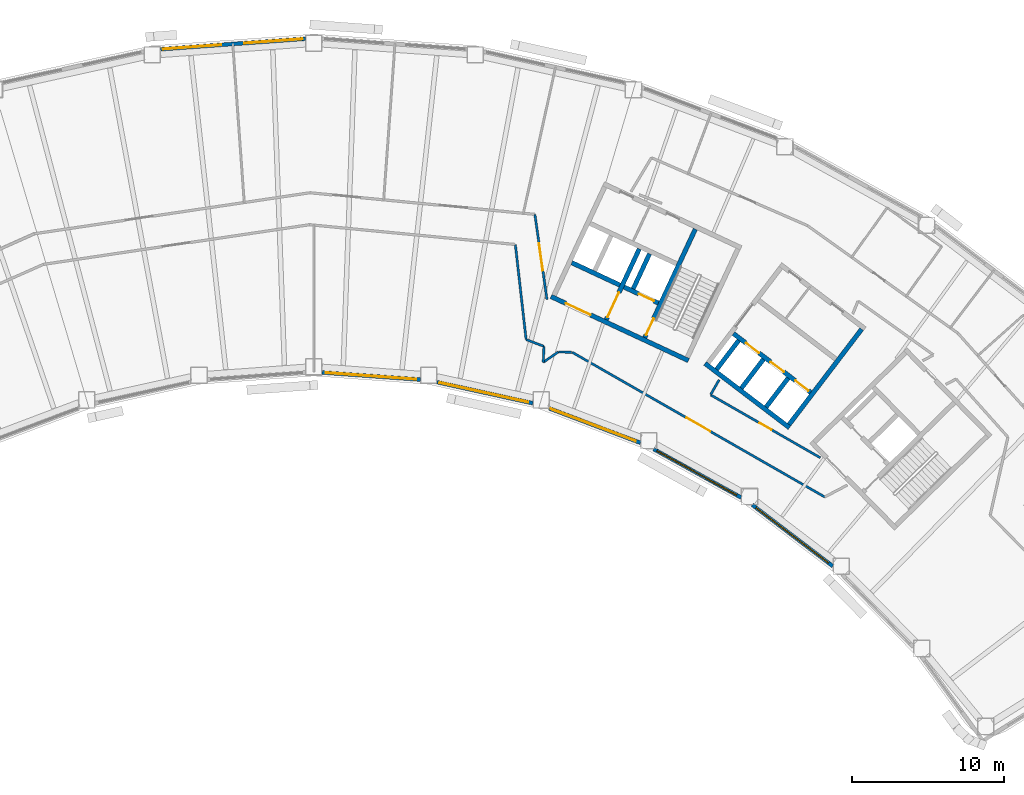
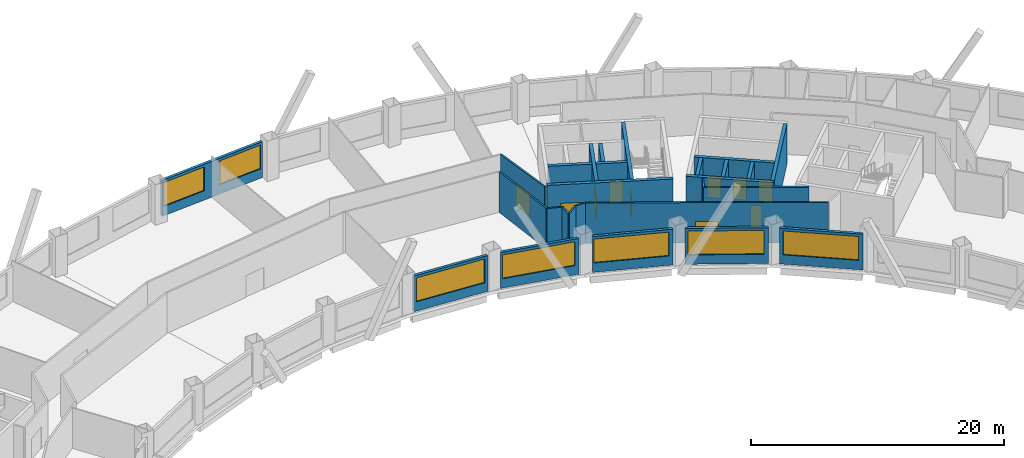
# One storey, part 5 of 11: 27 walls, 10 doors, 7 windows, 17 openings.
"""IFC4 building model written with IfcOpenShell, lengths in metres."""

from ifc_helpers import new_model, si_unit, direction, frame, frame_2d, origin, place, context, subcontext, project, spatial, rectangle, extrude, material, layer, layer_set, type_object, element, fill, save


model = new_model("IFC4")

# Units and contexts
model_context = context("Model", 3, precision=1e-05, world=origin(), true_north=direction((0.0, 1.0)))
body_context = subcontext(model_context, "Body", "Model", "MODEL_VIEW")
ifc_project = project(units=[si_unit("LENGTHUNIT", "METRE"), si_unit("AREAUNIT", "SQUARE_METRE"), si_unit("VOLUMEUNIT", "CUBIC_METRE"), si_unit("PLANEANGLEUNIT", "RADIAN"), si_unit("MASSUNIT", "GRAM", prefix="KILO")], contexts=[model_context])

# Site, building, storey
site_placement = place(None, origin())
site = spatial("IfcSite", under=ifc_project, at=site_placement, CompositionType="ELEMENT")
building_placement = place(site_placement, origin())
building = spatial("IfcBuilding", under=site, at=building_placement, Name="Tuul Gate Civic Tower", CompositionType="ELEMENT")
storey_placement = place(building_placement, frame((0.0, 0.0, 107.699951171875)))
storey = spatial("IfcBuildingStorey", under=building, at=storey_placement, Name="Level 24", CompositionType="ELEMENT", Elevation=107.699951171875)

# Wall, opening, door
ifc_material_1 = material(Name="Concrete C50/60", Category="concrete")
ifc_layer_1 = layer(ifc_material_1, 0.300048828125)
ifc_layer_set_1 = layer_set([ifc_layer_1], Name="Concrete C50/60")
wall_type_1 = type_object("IfcWallType", Name="Core wall C50/60", PredefinedType="SHEAR", material=ifc_layer_set_1)
wall_1_placement = place(storey_placement, frame((34.5283203125, -7.25, 0.0), z_axis=(0.0, 0.0, 1.0), x_axis=(-0.906310338845, 0.422612789327, 0.0)))
wall_1 = element("IfcWall", 1, at=wall_1_placement, inside=storey, type_object=wall_type_1, Name="Core wall", PredefinedType="SHEAR", context=body_context, shape_type="SweptSolid", body=[
    extrude(rectangle(XDim=9.999755859375, YDim=0.300048828125, at=frame_2d((5.0, 0.0))), origin(), (0.0, 0.0, 1.0), 3.900146484375),
])
opening_1_placement = place(wall_1_placement, frame((7.125, 0.0, 0.0)))
opening_1 = element("IfcOpeningElement", 2, at=opening_1_placement, cuts=wall_1, Name="Opening LB-E3-LOBBY-1", PredefinedType="OPENING", context=body_context, shape_type="SweptSolid", body=[
    extrude(rectangle(XDim=1.800048828125, YDim=2.10009765625, at=frame_2d((0.89990234375, 1.050048828125))), frame((0.0, 0.16015625, 0.0), z_axis=(0.0, -1.0, 0.0), x_axis=(1.0, 0.0, 0.0)), (0.0, 0.0, 1.0), 0.320068359375),
])
ifc_material_2 = material(Name="Steel", Category="steel")
door_type_1 = type_object("IfcDoorType", Name="Lobby door", OperationType="DOUBLE_DOOR_SINGLE_SWING", PredefinedType="DOOR", material=ifc_material_2)
door_1_placement = place(opening_1_placement, frame((1.800048828125, 0.0, 0.0), z_axis=(0.0, 0.0, 1.0), x_axis=(-1.0, 0.0, 0.0)))
door_1 = element("IfcDoor", 3, at=door_1_placement, inside=storey, type_object=door_type_1, Name="Lobby door E3-LOBBY", OperationType="DOUBLE_DOOR_SINGLE_SWING", OverallHeight=2.10009765625, OverallWidth=1.800048828125, PredefinedType="DOOR", context=body_context, shape_type="SweptSolid", body=[
    extrude(rectangle(XDim=1.800048828125, YDim=2.10009765625, at=frame_2d((0.900146484375, 1.050048828125))), frame((0.0, 0.02490234375, 0.0), z_axis=(0.0, -1.0, 0.0), x_axis=(1.0, 0.0, 0.0)), (0.0, 0.0, 1.0), 0.050048828125),
])
fill(opening_1, door_1)

wall_2_placement = place(storey_placement, frame((32.545654296875, -3.456787109375, 0.0), z_axis=(0.0, 0.0, 1.0), x_axis=(-0.906300357825, 0.42263419337, 0.0)))
wall_2 = element("IfcWall", 4, at=wall_2_placement, inside=storey, type_object=wall_type_1, Name="Core wall", PredefinedType="SHEAR", context=body_context, shape_type="SweptSolid", body=[
    extrude(rectangle(XDim=2.500244140625, YDim=0.300048828125, at=frame_2d((1.25, 0.0))), origin(), (0.0, 0.0, 1.0), 3.900146484375),
])
opening_2_placement = place(wall_2_placement, frame((0.324951171875, 0.0, 0.0)))
opening_2 = element("IfcOpeningElement", 5, at=opening_2_placement, cuts=wall_2, Name="Opening LD-FF-2", PredefinedType="OPENING", context=body_context, shape_type="SweptSolid", body=[
    extrude(rectangle(XDim=1.10009765625, YDim=2.10009765625, at=frame_2d((0.550048828125, 1.050048828125))), frame((0.0, 0.16015625, 0.0), z_axis=(0.0, -1.0, 0.0), x_axis=(1.0, 0.0, 0.0)), (0.0, 0.0, 1.0), 0.320068359375),
])
ifc_material_3 = material(Name="Stainless steel", Category="steel")
door_type_2 = type_object("IfcDoorType", Name="Landing door", OperationType="DOUBLE_DOOR_SLIDING", PredefinedType="DOOR", material=ifc_material_3)
door_2_placement = place(opening_2_placement, origin())
door_2 = element("IfcDoor", 6, at=door_2_placement, inside=storey, type_object=door_type_2, Name="Fire-fighting lift FF-2 landing door", OperationType="DOUBLE_DOOR_SLIDING", OverallHeight=2.10009765625, OverallWidth=1.10009765625, PredefinedType="DOOR", context=body_context, shape_type="SweptSolid", body=[
    extrude(rectangle(XDim=1.10009765625, YDim=2.10009765625, at=frame_2d((0.550048828125, 1.050048828125))), frame((0.0, 0.02490234375, 0.0), z_axis=(0.0, -1.0, 0.0), x_axis=(1.0, 0.0, 0.0)), (0.0, 0.0, 1.0), 0.050048828125),
])
fill(opening_2, door_2)

# Wall
wall_3_placement = place(storey_placement, frame((30.0078125, -2.2734375, 0.0), z_axis=(0.0, 0.0, 1.0), x_axis=(-0.90630071767, 0.422633421716, 0.0)))
element("IfcWall", 7, at=wall_3_placement, inside=storey, type_object=wall_type_1, Name="Core wall", PredefinedType="SHEAR", context=body_context, shape_type="SweptSolid", body=[
    extrude(rectangle(XDim=3.5, YDim=0.300048828125, at=frame_2d((1.75, 0.0))), origin(), (0.0, 0.0, 1.0), 3.900146484375),
])

# Wall, opening, door
wall_4_placement = place(storey_placement, frame((31.646240234375, -5.740478515625, 0.0), z_axis=(0.0, 0.0, 1.0), x_axis=(0.422582604137, 0.906324413596, 0.0)))
wall_4 = element("IfcWall", 8, at=wall_4_placement, inside=storey, type_object=wall_type_1, Name="Core wall", PredefinedType="SHEAR", context=body_context, shape_type="SweptSolid", body=[
    extrude(rectangle(XDim=7.89990234375, YDim=0.300048828125, at=frame_2d((3.949951171875, 0.0))), origin(), (0.0, 0.0, 1.0), 3.900146484375),
])
opening_3_placement = place(wall_4_placement, frame((0.199951171875, 0.0, 0.0)))
opening_3 = element("IfcOpeningElement", 9, at=opening_3_placement, cuts=wall_4, Name="Opening SD-ST-4", PredefinedType="OPENING", context=body_context, shape_type="SweptSolid", body=[
    extrude(rectangle(XDim=1.199951171875, YDim=2.10009765625, at=frame_2d((0.60009765625, 1.050048828125))), frame((0.0, 0.16015625, 0.0), z_axis=(0.0, -1.0, 0.0), x_axis=(1.0, 0.0, 0.0)), (0.0, 0.0, 1.0), 0.320068359375),
])
ifc_material_4 = material(Name="Steel", Category="steel")
door_type_3 = type_object("IfcDoorType", Name="Stair door", OperationType="NOTDEFINED", PredefinedType="DOOR", material=ifc_material_4)
door_3_placement = place(opening_3_placement, origin())
door_3 = element("IfcDoor", 10, at=door_3_placement, inside=storey, type_object=door_type_3, Name="Stair door ST-4", OperationType="SINGLE_SWING_LEFT", OverallHeight=2.10009765625, OverallWidth=1.199951171875, PredefinedType="DOOR", context=body_context, shape_type="SweptSolid", body=[
    extrude(rectangle(XDim=1.199951171875, YDim=2.10009765625, at=frame_2d((0.60009765625, 1.050048828125))), frame((0.0, 0.02490234375, 0.0), z_axis=(0.0, -1.0, 0.0), x_axis=(1.0, 0.0, 0.0)), (0.0, 0.0, 1.0), 0.050048828125),
])
fill(opening_3, door_3)

# Wall
wall_5_placement = place(storey_placement, frame((30.886962890625, -2.517822265625, 0.0), z_axis=(0.0, 0.0, 1.0), x_axis=(0.422612891016, 0.906310291427, 0.0)))
element("IfcWall", 11, at=wall_5_placement, inside=storey, type_object=wall_type_1, Name="Core wall", PredefinedType="SHEAR", context=body_context, shape_type="SweptSolid", body=[
    extrude(rectangle(XDim=2.550048828125, YDim=0.300048828125, at=frame_2d((1.27490234375, 0.0))), origin(), (0.0, 0.0, 1.0), 3.900146484375),
])

# Wall, opening, door
wall_6_placement = place(storey_placement, frame((29.108642578125, -4.557373046875, 0.0), z_axis=(0.0, 0.0, 1.0), x_axis=(0.422566235356, 0.90633204552, 0.0)))
wall_6 = element("IfcWall", 12, at=wall_6_placement, inside=storey, type_object=wall_type_1, Name="Core wall", PredefinedType="SHEAR", context=body_context, shape_type="SweptSolid", body=[
    extrude(rectangle(XDim=5.150146484375, YDim=0.300048828125, at=frame_2d((2.5751953125, 0.0))), origin(), (0.0, 0.0, 1.0), 3.900146484375),
])
opening_4_placement = place(wall_6_placement, frame((0.175048828125, 0.0, 0.0)))
opening_4 = element("IfcOpeningElement", 13, at=opening_4_placement, cuts=wall_6, Name="Opening LB-E3-FLOBBY-1", PredefinedType="OPENING", context=body_context, shape_type="SweptSolid", body=[
    extrude(rectangle(XDim=1.800048828125, YDim=2.10009765625, at=frame_2d((0.89990234375, 1.050048828125))), frame((0.0, 0.16015625, 0.0), z_axis=(0.0, -1.0, 0.0), x_axis=(1.0, 0.0, 0.0)), (0.0, 0.0, 1.0), 0.320068359375),
])
door_4_placement = place(opening_4_placement, frame((1.800048828125, 0.0, 0.0), z_axis=(0.0, 0.0, 1.0), x_axis=(-1.0, 0.0, 0.0)))
door_4 = element("IfcDoor", 14, at=door_4_placement, inside=storey, type_object=door_type_1, Name="Lobby door E3-FLOBBY", OperationType="DOUBLE_DOOR_SINGLE_SWING", OverallHeight=2.10009765625, OverallWidth=1.800048828125, PredefinedType="DOOR", context=body_context, shape_type="SweptSolid", body=[
    extrude(rectangle(XDim=1.800048828125, YDim=2.10009765625, at=frame_2d((0.900146484375, 1.050048828125))), frame((0.0, 0.02490234375, 0.0), z_axis=(0.0, -1.0, 0.0), x_axis=(1.0, 0.0, 0.0)), (0.0, 0.0, 1.0), 0.050048828125),
])
fill(opening_4, door_4)

ifc_material_5 = material(Name="Gypsum board partition")
ifc_layer_2 = layer(ifc_material_5, 0.14990234375)
ifc_layer_set_2 = layer_set([ifc_layer_2], Name="Gypsum board partition")
wall_type_2 = type_object("IfcWallType", Name="Corridor wall P150", PredefinedType="PARTITIONING", material=ifc_layer_set_2)
wall_7_placement = place(storey_placement, frame((24.403564453125, 2.389404296875, 0.0), z_axis=(0.0, 0.0, 1.0), x_axis=(0.140745812343, -0.990045764754, 0.0)))
wall_7 = element("IfcWall", 15, at=wall_7_placement, inside=storey, type_object=wall_type_2, Name="p018", PredefinedType="PARTITIONING", context=body_context, shape_type="SweptSolid", body=[
    extrude(rectangle(XDim=5.6669921875, YDim=0.14990234375, at=frame_2d((2.83349609375, 0.0))), origin(), (0.0, 0.0, 1.0), 3.900146484375),
])
opening_5_placement = place(wall_7_placement, frame((1.93359375, 0.0, 0.0)))
opening_5 = element("IfcOpeningElement", 16, at=opening_5_placement, cuts=wall_7, Name="Opening H-D04", PredefinedType="OPENING", context=body_context, shape_type="SweptSolid", body=[
    extrude(rectangle(XDim=1.800048828125, YDim=2.10009765625, at=frame_2d((0.89990234375, 1.050048828125))), frame((0.0, 0.0849609375, 0.0), z_axis=(0.0, -1.0, 0.0), x_axis=(1.0, 0.0, 0.0)), (0.0, 0.0, 1.0), 0.169921875),
])
ifc_material_6 = material(Name="Timber door leaf, double", Category="wood")
door_type_4 = type_object("IfcDoorType", Name="Door D18", OperationType="DOUBLE_DOOR_SINGLE_SWING", PredefinedType="DOOR", material=ifc_material_6)
door_5_placement = place(opening_5_placement, origin())
door_5 = element("IfcDoor", 17, at=door_5_placement, inside=storey, type_object=door_type_4, Name="Door H-D04", OperationType="DOUBLE_DOOR_SINGLE_SWING", OverallHeight=2.10009765625, OverallWidth=1.800048828125, PredefinedType="DOOR", context=body_context, shape_type="SweptSolid", body=[
    extrude(rectangle(XDim=1.800048828125, YDim=2.10009765625, at=frame_2d((0.89990234375, 1.050048828125))), frame((0.0, 0.02490234375, 0.0), z_axis=(0.0, -1.0, 0.0), x_axis=(1.0, 0.0, 0.0)), (0.0, 0.0, 1.0), 0.050048828125),
])
fill(opening_5, door_5)

# Walls
wall_8_placement = place(storey_placement, frame((23.116943359375, 0.3876953125, 0.0), z_axis=(0.0, 0.0, 1.0), x_axis=(0.112509252059, -0.99365067715, 0.0)))
element("IfcWall", 18, at=wall_8_placement, inside=storey, type_object=wall_type_2, Name="p056", PredefinedType="PARTITIONING", context=body_context, shape_type="SweptSolid", body=[
    extrude(rectangle(XDim=6.29296875, YDim=0.14990234375, at=frame_2d((3.146484375, 0.0))), origin(), (0.0, 0.0, 1.0), 3.900146484375),
])
wall_9_placement = place(storey_placement, frame((23.824951171875, -5.865234375, 0.0), z_axis=(0.0, 0.0, 1.0), x_axis=(0.934726356021, -0.355368315077, 0.0)))
element("IfcWall", 19, at=wall_9_placement, inside=storey, type_object=wall_type_2, Name="p057", PredefinedType="PARTITIONING", context=body_context, shape_type="SweptSolid", body=[
    extrude(rectangle(XDim=1.246826171875, YDim=0.14990234375, at=frame_2d((0.62353515625, 0.0))), origin(), (0.0, 0.0, 1.0), 3.900146484375),
])
wall_10_placement = place(storey_placement, frame((25.965087890625, -6.678955078125, 0.0), z_axis=(0.0, 0.0, 1.0), x_axis=(0.999492350912, -0.031859699761, 0.0)))
element("IfcWall", 20, at=wall_10_placement, inside=storey, type_object=wall_type_2, Name="p058", PredefinedType="PARTITIONING", context=body_context, shape_type="SweptSolid", body=[
    extrude(rectangle(XDim=0.865966796875, YDim=0.14990234375, at=frame_2d((0.43310546875, 0.0))), origin(), (0.0, 0.0, 1.0), 3.900146484375),
])
wall_11_placement = place(storey_placement, frame((25.001953125, -6.335693359375, 0.0), z_axis=(0.0, 0.0, 1.0), x_axis=(-0.044621701994, -0.999003955804, 0.0)))
element("IfcWall", 21, at=wall_11_placement, inside=storey, type_object=wall_type_2, Name="p060", PredefinedType="PARTITIONING", context=body_context, shape_type="SweptSolid", body=[
    extrude(rectangle(XDim=1.028564453125, YDim=0.14990234375, at=frame_2d((0.51416015625, 0.0))), origin(), (0.0, 0.0, 1.0), 3.900146484375),
])
wall_12_placement = place(storey_placement, frame((24.9560546875, -7.36328125, 0.0), z_axis=(0.0, 0.0, 1.0), x_axis=(0.823681821094, 0.56705225297, 0.0)))
element("IfcWall", 22, at=wall_12_placement, inside=storey, type_object=wall_type_2, Name="p061", PredefinedType="PARTITIONING", context=body_context, shape_type="SweptSolid", body=[
    extrude(rectangle(XDim=1.207275390625, YDim=0.14990234375, at=frame_2d((0.603515625, 0.0))), origin(), (0.0, 0.0, 1.0), 3.900146484375),
])

# Wall, opening, door
wall_13_placement = place(storey_placement, frame((26.8544921875, -6.69921875, 0.0), z_axis=(0.0, 0.0, 1.0), x_axis=(0.867717634908, -0.497057447454, 0.0)))
wall_13 = element("IfcWall", 23, at=wall_13_placement, inside=storey, type_object=wall_type_2, Name="p063", PredefinedType="PARTITIONING", context=body_context, shape_type="SweptSolid", body=[
    extrude(rectangle(XDim=19.201416015625, YDim=0.14990234375, at=frame_2d((9.6005859375, 0.0))), origin(), (0.0, 0.0, 1.0), 3.900146484375),
])
opening_6_placement = place(wall_13_placement, frame((8.70068359375, 0.0, 0.0)))
opening_6 = element("IfcOpeningElement", 24, at=opening_6_placement, cuts=wall_13, Name="Opening H-D11", PredefinedType="OPENING", context=body_context, shape_type="SweptSolid", body=[
    extrude(rectangle(XDim=1.800048828125, YDim=2.10009765625, at=frame_2d((0.89990234375, 1.050048828125))), frame((0.0, 0.0849609375, 0.0), z_axis=(0.0, -1.0, 0.0), x_axis=(1.0, 0.0, 0.0)), (0.0, 0.0, 1.0), 0.169921875),
])
door_6_placement = place(opening_6_placement, frame((1.800048828125, 0.0, 0.0), z_axis=(0.0, 0.0, 1.0), x_axis=(-1.0, 0.0, 0.0)))
door_6 = element("IfcDoor", 25, at=door_6_placement, inside=storey, type_object=door_type_4, Name="Door H-D11", OperationType="DOUBLE_DOOR_SINGLE_SWING", OverallHeight=2.10009765625, OverallWidth=1.800048828125, PredefinedType="DOOR", context=body_context, shape_type="SweptSolid", body=[
    extrude(rectangle(XDim=1.800048828125, YDim=2.10009765625, at=frame_2d((0.900146484375, 1.050048828125))), frame((0.0, 0.02490234375, 0.0), z_axis=(0.0, -1.0, 0.0), x_axis=(1.0, 0.0, 0.0)), (0.0, 0.0, 1.0), 0.050048828125),
])
fill(opening_6, door_6)

wall_14_placement = place(storey_placement, frame((36.00341796875, -9.51953125, 0.0), z_axis=(0.0, 0.0, 1.0), x_axis=(0.867697587438, -0.497092442866, 0.0)))
wall_14 = element("IfcWall", 26, at=wall_14_placement, inside=storey, type_object=wall_type_2, Name="p074", PredefinedType="PARTITIONING", context=body_context, shape_type="SweptSolid", body=[
    extrude(rectangle(XDim=8.32470703125, YDim=0.14990234375, at=frame_2d((4.162353515625, 0.0))), origin(), (0.0, 0.0, 1.0), 3.900146484375),
])
opening_7_placement = place(wall_14_placement, frame((3.71240234375, 0.0, 0.0)))
opening_7 = element("IfcOpeningElement", 27, at=opening_7_placement, cuts=wall_14, Name="Opening H-D14", PredefinedType="OPENING", context=body_context, shape_type="SweptSolid", body=[
    extrude(rectangle(XDim=0.89990234375, YDim=2.10009765625, at=frame_2d((0.449951171875, 1.050048828125))), frame((0.0, 0.0849609375, 0.0), z_axis=(0.0, -1.0, 0.0), x_axis=(1.0, 0.0, 0.0)), (0.0, 0.0, 1.0), 0.169921875),
])
ifc_material_7 = material(Name="Timber door leaf", Category="wood")
door_type_5 = type_object("IfcDoorType", Name="Door D09", OperationType="NOTDEFINED", PredefinedType="DOOR", material=ifc_material_7)
door_7_placement = place(opening_7_placement, frame((0.89990234375, 0.0, 0.0), z_axis=(0.0, 0.0, 1.0), x_axis=(-1.0, 0.0, 0.0)))
door_7 = element("IfcDoor", 28, at=door_7_placement, inside=storey, type_object=door_type_5, Name="Door H-D14", OperationType="SINGLE_SWING_LEFT", OverallHeight=2.10009765625, OverallWidth=0.89990234375, PredefinedType="DOOR", context=body_context, shape_type="SweptSolid", body=[
    extrude(rectangle(XDim=0.89990234375, YDim=2.10009765625, at=frame_2d((0.449951171875, 1.050048828125))), frame((0.0, 0.02490234375, 0.0), z_axis=(0.0, -1.0, 0.0), x_axis=(1.0, 0.0, 0.0)), (0.0, 0.0, 1.0), 0.050048828125),
])
fill(opening_7, door_7)

# Wall
wall_15_placement = place(storey_placement, frame((35.995849609375, -9.4921875, 0.0), z_axis=(0.0, 0.0, 1.0), x_axis=(0.49712568434, 0.867678542992, 0.0)))
element("IfcWall", 29, at=wall_15_placement, inside=storey, type_object=wall_type_2, Name="p075", PredefinedType="PARTITIONING", context=body_context, shape_type="SweptSolid", body=[
    extrude(rectangle(XDim=1.11865234375, YDim=0.14990234375, at=frame_2d((0.559326171875, 0.0))), origin(), (0.0, 0.0, 1.0), 3.900146484375),
])

# Wall, openings, windows
ifc_material_8 = material(Name="Precast concrete C40/50", Category="concrete")
ifc_layer_3 = layer(ifc_material_8, 0.25)
ifc_layer_set_3 = layer_set([ifc_layer_3], Name="Precast concrete C40/50")
wall_type_3 = type_object("IfcWallType", Name="External wall", PredefinedType="STANDARD", material=ifc_layer_set_3)
wall_16_placement = place(storey_placement, frame((9.279052734375, 13.972900390625, 0.0), z_axis=(0.0, 0.0, 1.0), x_axis=(-0.99738031898, -0.072336016692, 0.0)))
wall_16 = element("IfcWall", 30, at=wall_16_placement, inside=storey, type_object=wall_type_3, Name="External wall", PredefinedType="STANDARD", context=body_context, shape_type="SweptSolid", body=[
    extrude(rectangle(XDim=9.5751953125, YDim=0.25, at=frame_2d((4.78759765625, 0.0))), origin(), (0.0, 0.0, 1.0), 3.449951171875),
])
opening_8_placement = place(wall_16_placement, frame((0.2001953125, 0.0, 0.89990234375)))
opening_8 = element("IfcOpeningElement", 31, at=opening_8_placement, cuts=wall_16, Name="Opening W22", PredefinedType="OPENING", context=body_context, shape_type="SweptSolid", body=[
    extrude(rectangle(XDim=3.85009765625, YDim=2.300048828125, at=frame_2d((1.925048828125, 1.14990234375))), frame((0.0, 0.135009765625, 0.0), z_axis=(0.0, -1.0, 0.0), x_axis=(1.0, 0.0, 0.0)), (0.0, 0.0, 1.0), 0.27001953125),
])
opening_9_placement = place(wall_16_placement, frame((5.57177734375, 0.0, 0.89990234375)))
opening_9 = element("IfcOpeningElement", 32, at=opening_9_placement, cuts=wall_16, Name="Opening W22", PredefinedType="OPENING", context=body_context, shape_type="SweptSolid", body=[
    extrude(rectangle(XDim=3.85009765625, YDim=2.300048828125, at=frame_2d((1.925048828125, 1.14990234375))), frame((0.0, 0.135009765625, 0.0), z_axis=(0.0, -1.0, 0.0), x_axis=(1.0, 0.0, 0.0)), (0.0, 0.0, 1.0), 0.27001953125),
])
ifc_material_9 = material(Name="Glass", Category="glass")
window_type_1 = type_object("IfcWindowType", Name="Window W22 3850 x 2300", PartitioningType="SINGLE_PANEL", PredefinedType="WINDOW", material=ifc_material_9)
window_1_placement = place(opening_8_placement, origin())
window_1 = element("IfcWindow", 33, at=window_1_placement, inside=storey, type_object=window_type_1, Name="Window", OverallHeight=2.300048828125, OverallWidth=3.85009765625, PartitioningType="SINGLE_PANEL", PredefinedType="WINDOW", context=body_context, shape_type="SweptSolid", body=[
    extrude(rectangle(XDim=3.85009765625, YDim=2.300048828125, at=frame_2d((1.925048828125, 1.14990234375))), frame((0.0, 0.030029296875, 0.0), z_axis=(0.0, -1.0, 0.0), x_axis=(1.0, 0.0, 0.0)), (0.0, 0.0, 1.0), 0.06005859375),
])
fill(opening_8, window_1)
window_2_placement = place(opening_9_placement, origin())
window_2 = element("IfcWindow", 34, at=window_2_placement, inside=storey, type_object=window_type_1, Name="Window", OverallHeight=2.300048828125, OverallWidth=3.85009765625, PartitioningType="SINGLE_PANEL", PredefinedType="WINDOW", context=body_context, shape_type="SweptSolid", body=[
    extrude(rectangle(XDim=3.85009765625, YDim=2.300048828125, at=frame_2d((1.925048828125, 1.14990234375))), frame((0.0, 0.030029296875, 0.0), z_axis=(0.0, -1.0, 0.0), x_axis=(1.0, 0.0, 0.0)), (0.0, 0.0, 1.0), 0.06005859375),
])
fill(opening_9, window_2)

# Wall, opening, window
wall_17_placement = place(storey_placement, frame((10.37890625, -8.035400390625, 0.0), z_axis=(0.0, 0.0, 1.0), x_axis=(0.997392965156, -0.072161437464, 0.0)))
wall_17 = element("IfcWall", 35, at=wall_17_placement, inside=storey, type_object=wall_type_3, Name="External wall", PredefinedType="STANDARD", context=body_context, shape_type="SweptSolid", body=[
    extrude(rectangle(XDim=6.489013671875, YDim=0.25, at=frame_2d((3.24462890625, 0.0))), origin(), (0.0, 0.0, 1.0), 3.449951171875),
])
opening_10_placement = place(wall_17_placement, frame((0.220947265625, 0.0, 0.89990234375)))
opening_10 = element("IfcOpeningElement", 36, at=opening_10_placement, cuts=wall_17, Name="Opening W26", PredefinedType="OPENING", context=body_context, shape_type="SweptSolid", body=[
    extrude(rectangle(XDim=6.0, YDim=2.300048828125, at=frame_2d((3.0, 1.14990234375))), frame((0.0, 0.135009765625, 0.0), z_axis=(0.0, -1.0, 0.0), x_axis=(1.0, 0.0, 0.0)), (0.0, 0.0, 1.0), 0.27001953125),
])
ifc_material_10 = material(Name="Glass", Category="glass")
window_type_2 = type_object("IfcWindowType", Name="Window W26 6000 x 2300", PartitioningType="SINGLE_PANEL", PredefinedType="WINDOW", material=ifc_material_10)
window_3_placement = place(opening_10_placement, origin())
window_3 = element("IfcWindow", 37, at=window_3_placement, inside=storey, type_object=window_type_2, Name="Window", OverallHeight=2.300048828125, OverallWidth=6.0, PartitioningType="SINGLE_PANEL", PredefinedType="WINDOW", context=body_context, shape_type="SweptSolid", body=[
    extrude(rectangle(XDim=6.0, YDim=2.300048828125, at=frame_2d((3.0, 1.14990234375))), frame((0.0, 0.030029296875, 0.0), z_axis=(0.0, -1.0, 0.0), x_axis=(1.0, 0.0, 0.0)), (0.0, 0.0, 1.0), 0.06005859375),
])
fill(opening_10, window_3)

wall_18_placement = place(storey_placement, frame((17.950927734375, -8.671630859375, 0.0), z_axis=(0.0, 0.0, 1.0), x_axis=(0.976562304854, -0.215234905949, 0.0)))
wall_18 = element("IfcWall", 38, at=wall_18_placement, inside=storey, type_object=wall_type_3, Name="External wall", PredefinedType="STANDARD", context=body_context, shape_type="SweptSolid", body=[
    extrude(rectangle(XDim=6.465576171875, YDim=0.25, at=frame_2d((3.23291015625, 0.0))), origin(), (0.0, 0.0, 1.0), 3.449951171875),
])
opening_11_placement = place(wall_18_placement, frame((0.160888671875, 0.0, 0.89990234375)))
opening_11 = element("IfcOpeningElement", 39, at=opening_11_placement, cuts=wall_18, Name="Opening W26", PredefinedType="OPENING", context=body_context, shape_type="SweptSolid", body=[
    extrude(rectangle(XDim=6.0, YDim=2.300048828125, at=frame_2d((3.0, 1.14990234375))), frame((0.0, 0.135009765625, 0.0), z_axis=(0.0, -1.0, 0.0), x_axis=(1.0, 0.0, 0.0)), (0.0, 0.0, 1.0), 0.27001953125),
])
window_4_placement = place(opening_11_placement, origin())
window_4 = element("IfcWindow", 40, at=window_4_placement, inside=storey, type_object=window_type_2, Name="Window", OverallHeight=2.300048828125, OverallWidth=6.0, PartitioningType="SINGLE_PANEL", PredefinedType="WINDOW", context=body_context, shape_type="SweptSolid", body=[
    extrude(rectangle(XDim=6.0, YDim=2.300048828125, at=frame_2d((3.0, 1.14990234375))), frame((0.0, 0.030029296875, 0.0), z_axis=(0.0, -1.0, 0.0), x_axis=(1.0, 0.0, 0.0)), (0.0, 0.0, 1.0), 0.06005859375),
])
fill(opening_11, window_4)

wall_19_placement = place(storey_placement, frame((25.3515625, -10.402099609375, 0.0), z_axis=(0.0, 0.0, 1.0), x_axis=(0.93537217804, -0.353664938252, 0.0)))
wall_19 = element("IfcWall", 41, at=wall_19_placement, inside=storey, type_object=wall_type_3, Name="External wall", PredefinedType="STANDARD", context=body_context, shape_type="SweptSolid", body=[
    extrude(rectangle(XDim=6.428955078125, YDim=0.25, at=frame_2d((3.21435546875, 0.0))), origin(), (0.0, 0.0, 1.0), 3.449951171875),
])
opening_12_placement = place(wall_19_placement, frame((0.09912109375, 0.0, 0.89990234375)))
opening_12 = element("IfcOpeningElement", 42, at=opening_12_placement, cuts=wall_19, Name="Opening W26", PredefinedType="OPENING", context=body_context, shape_type="SweptSolid", body=[
    extrude(rectangle(XDim=6.0, YDim=2.300048828125, at=frame_2d((3.0, 1.14990234375))), frame((0.0, 0.135009765625, 0.0), z_axis=(0.0, -1.0, 0.0), x_axis=(1.0, 0.0, 0.0)), (0.0, 0.0, 1.0), 0.27001953125),
])
window_5_placement = place(opening_12_placement, origin())
window_5 = element("IfcWindow", 43, at=window_5_placement, inside=storey, type_object=window_type_2, Name="Window", OverallHeight=2.300048828125, OverallWidth=6.0, PartitioningType="SINGLE_PANEL", PredefinedType="WINDOW", context=body_context, shape_type="SweptSolid", body=[
    extrude(rectangle(XDim=6.0, YDim=2.300048828125, at=frame_2d((3.0, 1.14990234375))), frame((0.0, 0.030029296875, 0.0), z_axis=(0.0, -1.0, 0.0), x_axis=(1.0, 0.0, 0.0)), (0.0, 0.0, 1.0), 0.06005859375),
])
fill(opening_12, window_5)

wall_20_placement = place(storey_placement, frame((32.23828125, -13.0869140625, 0.0), z_axis=(0.0, 0.0, 1.0), x_axis=(0.87460054833, -0.484844182042, 0.0)))
wall_20 = element("IfcWall", 44, at=wall_20_placement, inside=storey, type_object=wall_type_3, Name="External wall", PredefinedType="STANDARD", context=body_context, shape_type="SweptSolid", body=[
    extrude(rectangle(XDim=6.593505859375, YDim=0.25, at=frame_2d((3.296875, 0.0))), origin(), (0.0, 0.0, 1.0), 3.449951171875),
])
opening_13_placement = place(wall_20_placement, frame((0.2470703125, 0.0, 0.89990234375)))
opening_13 = element("IfcOpeningElement", 45, at=opening_13_placement, cuts=wall_20, Name="Opening W26", PredefinedType="OPENING", context=body_context, shape_type="SweptSolid", body=[
    extrude(rectangle(XDim=6.0, YDim=2.300048828125, at=frame_2d((3.0, 1.14990234375))), frame((0.0, 0.135009765625, 0.0), z_axis=(0.0, -1.0, 0.0), x_axis=(1.0, 0.0, 0.0)), (0.0, 0.0, 1.0), 0.27001953125),
])
window_6_placement = place(opening_13_placement, origin())
window_6 = element("IfcWindow", 46, at=window_6_placement, inside=storey, type_object=window_type_2, Name="Window", OverallHeight=2.300048828125, OverallWidth=6.0, PartitioningType="SINGLE_PANEL", PredefinedType="WINDOW", context=body_context, shape_type="SweptSolid", body=[
    extrude(rectangle(XDim=6.0, YDim=2.300048828125, at=frame_2d((3.0, 1.14990234375))), frame((0.0, 0.030029296875, 0.0), z_axis=(0.0, -1.0, 0.0), x_axis=(1.0, 0.0, 0.0)), (0.0, 0.0, 1.0), 0.06005859375),
])
fill(opening_13, window_6)

wall_21_placement = place(storey_placement, frame((38.74267578125, -16.76806640625, 0.0), z_axis=(0.0, 0.0, 1.0), x_axis=(0.795574625886, -0.605855605442, 0.0)))
wall_21 = element("IfcWall", 47, at=wall_21_placement, inside=storey, type_object=wall_type_3, Name="External wall", PredefinedType="STANDARD", context=body_context, shape_type="SweptSolid", body=[
    extrude(rectangle(XDim=6.666015625, YDim=0.25, at=frame_2d((3.3330078125, 0.0))), origin(), (0.0, 0.0, 1.0), 3.449951171875),
])
opening_14_placement = place(wall_21_placement, frame((0.313232421875, 0.0, 0.89990234375)))
opening_14 = element("IfcOpeningElement", 48, at=opening_14_placement, cuts=wall_21, Name="Opening W26", PredefinedType="OPENING", context=body_context, shape_type="SweptSolid", body=[
    extrude(rectangle(XDim=6.0, YDim=2.300048828125, at=frame_2d((3.0, 1.14990234375))), frame((0.0, 0.135009765625, 0.0), z_axis=(0.0, -1.0, 0.0), x_axis=(1.0, 0.0, 0.0)), (0.0, 0.0, 1.0), 0.27001953125),
])
window_7_placement = place(opening_14_placement, origin())
window_7 = element("IfcWindow", 49, at=window_7_placement, inside=storey, type_object=window_type_2, Name="Window", OverallHeight=2.300048828125, OverallWidth=6.0, PartitioningType="SINGLE_PANEL", PredefinedType="WINDOW", context=body_context, shape_type="SweptSolid", body=[
    extrude(rectangle(XDim=6.0, YDim=2.300048828125, at=frame_2d((3.0, 1.14990234375))), frame((0.0, 0.030029296875, 0.0), z_axis=(0.0, -1.0, 0.0), x_axis=(1.0, 0.0, 0.0)), (0.0, 0.0, 1.0), 0.06005859375),
])
fill(opening_14, window_7)

# Wall
ifc_material_11 = material(Name="Concrete C40/50", Category="concrete")
ifc_layer_4 = layer(ifc_material_11, 0.300048828125)
ifc_layer_set_4 = layer_set([ifc_layer_4], Name="Concrete C40/50")
wall_type_4 = type_object("IfcWallType", Name="Lift shaft wall C40/50", PredefinedType="STANDARD", material=ifc_layer_set_4)
wall_22_placement = place(storey_placement, frame((41.19189453125, -11.677734375, 0.0), z_axis=(0.0, 0.0, 1.0), x_axis=(-0.795563000331, 0.605870871147, 0.0)))
element("IfcWall", 50, at=wall_22_placement, inside=storey, type_object=wall_type_4, Name="Shaft wall", PredefinedType="STANDARD", context=body_context, shape_type="SweptSolid", body=[
    extrude(rectangle(XDim=7.000244140625, YDim=0.300048828125, at=frame_2d((3.5, 0.0))), origin(), (0.0, 0.0, 1.0), 3.900146484375),
])

# Wall, openings, doors
wall_23_placement = place(storey_placement, frame((42.5888671875, -9.34765625, 0.0), z_axis=(0.0, 0.0, 1.0), x_axis=(-0.795584062101, 0.605843214149, 0.0)))
wall_23 = element("IfcWall", 51, at=wall_23_placement, inside=storey, type_object=wall_type_4, Name="Shaft wall", PredefinedType="STANDARD", context=body_context, shape_type="SweptSolid", body=[
    extrude(rectangle(XDim=6.400146484375, YDim=0.300048828125, at=frame_2d((3.2001953125, 0.0))), origin(), (0.0, 0.0, 1.0), 3.900146484375),
])
opening_15_placement = place(wall_23_placement, frame((0.175048828125, 0.0, 0.0)))
opening_15 = element("IfcOpeningElement", 52, at=opening_15_placement, cuts=wall_23, Name="Opening LD-L1", PredefinedType="OPENING", context=body_context, shape_type="SweptSolid", body=[
    extrude(rectangle(XDim=1.10009765625, YDim=2.10009765625, at=frame_2d((0.550048828125, 1.050048828125))), frame((0.0, 0.16015625, 0.0), z_axis=(0.0, -1.0, 0.0), x_axis=(1.0, 0.0, 0.0)), (0.0, 0.0, 1.0), 0.320068359375),
])
opening_16_placement = place(wall_23_placement, frame((2.22509765625, 0.0, 0.0)))
opening_16 = element("IfcOpeningElement", 53, at=opening_16_placement, cuts=wall_23, Name="Opening LD-L2", PredefinedType="OPENING", context=body_context, shape_type="SweptSolid", body=[
    extrude(rectangle(XDim=1.10009765625, YDim=2.10009765625, at=frame_2d((0.550048828125, 1.050048828125))), frame((0.0, 0.16015625, 0.0), z_axis=(0.0, -1.0, 0.0), x_axis=(1.0, 0.0, 0.0)), (0.0, 0.0, 1.0), 0.320068359375),
])
opening_17_placement = place(wall_23_placement, frame((4.27490234375, 0.0, 0.0)))
opening_17 = element("IfcOpeningElement", 54, at=opening_17_placement, cuts=wall_23, Name="Opening LD-L3", PredefinedType="OPENING", context=body_context, shape_type="SweptSolid", body=[
    extrude(rectangle(XDim=1.10009765625, YDim=2.10009765625, at=frame_2d((0.550048828125, 1.050048828125))), frame((0.0, 0.16015625, 0.0), z_axis=(0.0, -1.0, 0.0), x_axis=(1.0, 0.0, 0.0)), (0.0, 0.0, 1.0), 0.320068359375),
])
door_8_placement = place(opening_15_placement, origin())
door_8 = element("IfcDoor", 55, at=door_8_placement, inside=storey, type_object=door_type_2, Name="Low-rise lift L1 landing door", OperationType="DOUBLE_DOOR_SLIDING", OverallHeight=2.10009765625, OverallWidth=1.10009765625, PredefinedType="DOOR", context=body_context, shape_type="SweptSolid", body=[
    extrude(rectangle(XDim=1.10009765625, YDim=2.10009765625, at=frame_2d((0.550048828125, 1.050048828125))), frame((0.0, 0.02490234375, 0.0), z_axis=(0.0, -1.0, 0.0), x_axis=(1.0, 0.0, 0.0)), (0.0, 0.0, 1.0), 0.050048828125),
])
fill(opening_15, door_8)
door_9_placement = place(opening_16_placement, origin())
door_9 = element("IfcDoor", 56, at=door_9_placement, inside=storey, type_object=door_type_2, Name="Low-rise lift L2 landing door", OperationType="DOUBLE_DOOR_SLIDING", OverallHeight=2.10009765625, OverallWidth=1.10009765625, PredefinedType="DOOR", context=body_context, shape_type="SweptSolid", body=[
    extrude(rectangle(XDim=1.10009765625, YDim=2.10009765625, at=frame_2d((0.550048828125, 1.050048828125))), frame((0.0, 0.02490234375, 0.0), z_axis=(0.0, -1.0, 0.0), x_axis=(1.0, 0.0, 0.0)), (0.0, 0.0, 1.0), 0.050048828125),
])
fill(opening_16, door_9)
door_10_placement = place(opening_17_placement, origin())
door_10 = element("IfcDoor", 57, at=door_10_placement, inside=storey, type_object=door_type_2, Name="Low-rise lift L3 landing door", OperationType="DOUBLE_DOOR_SLIDING", OverallHeight=2.10009765625, OverallWidth=1.10009765625, PredefinedType="DOOR", context=body_context, shape_type="SweptSolid", body=[
    extrude(rectangle(XDim=1.10009765625, YDim=2.10009765625, at=frame_2d((0.550048828125, 1.050048828125))), frame((0.0, 0.02490234375, 0.0), z_axis=(0.0, -1.0, 0.0), x_axis=(1.0, 0.0, 0.0)), (0.0, 0.0, 1.0), 0.050048828125),
])
fill(opening_17, door_10)

# Walls
wall_24_placement = place(storey_placement, frame((41.163330078125, -11.46728515625, 0.0), z_axis=(0.0, 0.0, 1.0), x_axis=(0.605784332699, 0.795628897324, 0.0)))
element("IfcWall", 58, at=wall_24_placement, inside=storey, type_object=wall_type_4, Name="Shaft wall", PredefinedType="STANDARD", context=body_context, shape_type="SweptSolid", body=[
    extrude(rectangle(XDim=7.89990234375, YDim=0.300048828125, at=frame_2d((3.949951171875, 0.0))), origin(), (0.0, 0.0, 1.0), 3.900146484375),
])
wall_25_placement = place(storey_placement, frame((39.65185546875, -10.31640625, 0.0), z_axis=(0.0, 0.0, 1.0), x_axis=(0.605745892068, 0.79565816419, 0.0)))
element("IfcWall", 59, at=wall_25_placement, inside=storey, type_object=wall_type_4, Name="Shaft wall", PredefinedType="STANDARD", context=body_context, shape_type="SweptSolid", body=[
    extrude(rectangle(XDim=2.400146484375, YDim=0.300048828125, at=frame_2d((1.2001953125, 0.0))), origin(), (0.0, 0.0, 1.0), 3.900146484375),
])
wall_26_placement = place(storey_placement, frame((38.02099609375, -9.07421875, 0.0), z_axis=(0.0, 0.0, 1.0), x_axis=(0.605730519254, 0.795669867498, 0.0)))
element("IfcWall", 60, at=wall_26_placement, inside=storey, type_object=wall_type_4, Name="Shaft wall", PredefinedType="STANDARD", context=body_context, shape_type="SweptSolid", body=[
    extrude(rectangle(XDim=2.399658203125, YDim=0.300048828125, at=frame_2d((1.19970703125, 0.0))), origin(), (0.0, 0.0, 1.0), 3.900146484375),
])
wall_27_placement = place(storey_placement, frame((36.389892578125, -7.832275390625, 0.0), z_axis=(0.0, 0.0, 1.0), x_axis=(0.605745892068, 0.79565816419, 0.0)))
element("IfcWall", 61, at=wall_27_placement, inside=storey, type_object=wall_type_4, Name="Shaft wall", PredefinedType="STANDARD", context=body_context, shape_type="SweptSolid", body=[
    extrude(rectangle(XDim=2.400146484375, YDim=0.300048828125, at=frame_2d((1.2001953125, 0.0))), origin(), (0.0, 0.0, 1.0), 3.900146484375),
])

save(model, "model.ifc")
